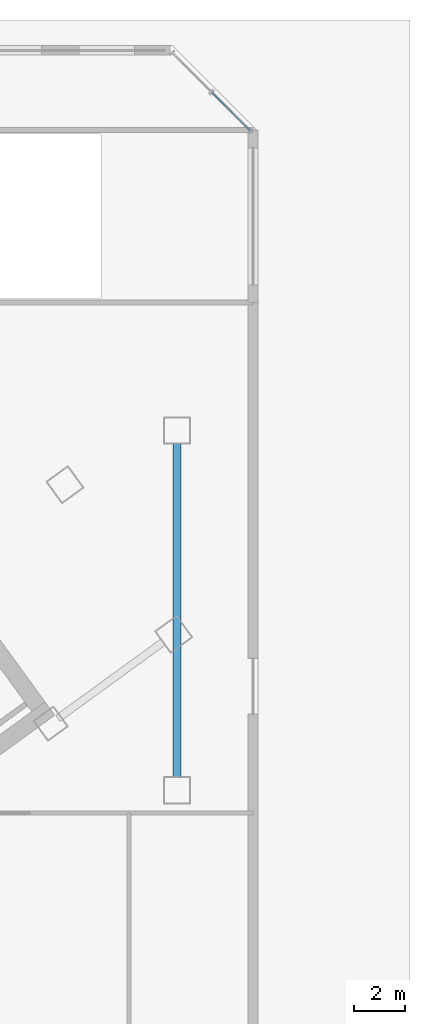
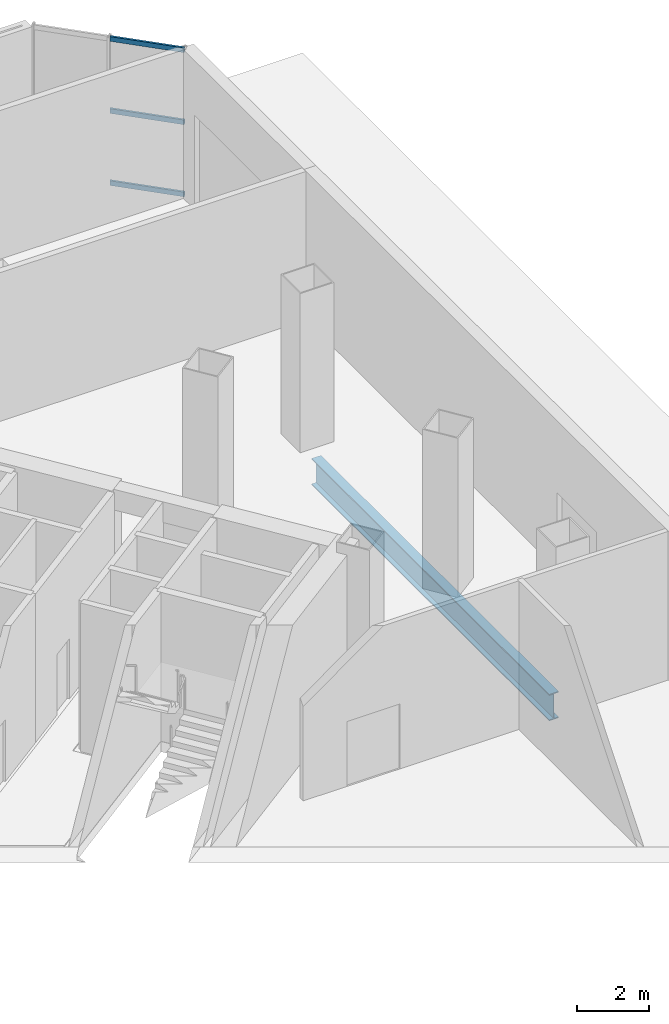
# One storey, part 7 of 22: 3 members, 1 beam, 1 element without a shape of its own.
"""IFC4 building model written with IfcOpenShell, lengths in metres."""

from ifc_helpers import new_model, si_unit, direction, frame, origin, origin_2d, place, context, subcontext, project, spatial, hollow_rectangle, i_section, extrude, source, transform, mapped, material, material_profile, profile_set, type_object, element, aggregate, save


model = new_model("IFC4")

# Units and contexts
model_context = context("Model", 3, precision=1e-05, world=origin(), true_north=direction((0.0, 1.0)))
body_context = subcontext(model_context, "Body", "Model", "MODEL_VIEW")
ifc_project = project(units=[si_unit("LENGTHUNIT", "METRE"), si_unit("AREAUNIT", "SQUARE_METRE"), si_unit("VOLUMEUNIT", "CUBIC_METRE"), si_unit("PLANEANGLEUNIT", "RADIAN"), si_unit("MASSUNIT", "GRAM", prefix="KILO")], contexts=[model_context])

# Site, building, storey
site_placement = place(None, origin())
site = spatial("IfcSite", under=ifc_project, at=site_placement, CompositionType="ELEMENT")
building_placement = place(site_placement, origin())
building = spatial("IfcBuilding", under=site, at=building_placement, Name="Tlacorven Tower", CompositionType="ELEMENT")
storey_placement = place(building_placement, origin())
storey = spatial("IfcBuildingStorey", under=building, at=storey_placement, Name="L00", CompositionType="ELEMENT", Elevation=0.0)

# Beam
ifc_material_1 = material(Name="Steel S460M", Category="steel")
ifc_material_profile_1 = material_profile(ifc_material_1, i_section(OverallWidth=0.300048828125, OverallDepth=0.89990234375, WebThickness=0.0185546875, FlangeThickness=0.034912109375, at=origin_2d()), Name="HEB 900")
ifc_profile_set_1 = profile_set([ifc_material_profile_1], Name="Steel S460M")
beam_type = type_object("IfcBeamType", Name="BM-POD-900", PredefinedType="BEAM", material=ifc_profile_set_1)
shared_shape_1 = source(origin(), body_context, "Body", "SweptSolid", [
    extrude(i_section(OverallWidth=0.300048828125, OverallDepth=0.89990234375, WebThickness=0.0185546875, FlangeThickness=0.034912109375, at=origin_2d()), origin(), (0.0, 0.0, 1.0), 13.199951171875),
])
beam_placement = place(storey_placement, frame((67.39990234375, 17.699951171875, -0.800048828125), z_axis=(0.0, 1.0, 0.0), x_axis=(-1.0, 0.0, 0.0)))
element("IfcBeam", 1, at=beam_placement, inside=storey, type_object=beam_type, Name="L00 beam BM-L00-GY6-1", PredefinedType="BEAM", context=body_context, shape_type="MappedRepresentation", body=[
    mapped(shared_shape_1, transform((0.0, 0.0, 0.0), scale=1.0)),
])

# Curtain wall, members
ifc_material_2 = material(Name="Dark solar low-E double glazing in aluminium frame", Category="aluminium")
curtain_wall_type = type_object("IfcCurtainWallType", Name="CW-STN-CONCOURSE", PredefinedType="USERDEFINED", material=ifc_material_2)
curtain_wall_placement = place(storey_placement, origin())
curtain_wall = element("IfcCurtainWall", 2, at=curtain_wall_placement, inside=storey, type_object=curtain_wall_type, Name="L00 Podium Chamfer Curtain Wall 5", ObjectType="UNITISED CURTAIN WALL", PredefinedType="USERDEFINED")
ifc_material_3 = material(Name="Aluminium 6063-T6 anodised", Category="aluminium")
ifc_material_profile_2 = material_profile(ifc_material_3, hollow_rectangle(XDim=0.06494140625, YDim=0.159912109375, WallThickness=0.00390625, at=origin_2d()), Name="ALU TRANSOM 65X160")
ifc_profile_set_2 = profile_set([ifc_material_profile_2], Name="Aluminium 6063-T6 anodised")
member_type = type_object("IfcMemberType", Name="CWT-01", PredefinedType="USERDEFINED", material=ifc_profile_set_2)
shared_shape_2 = source(origin(), body_context, "Body", "SweptSolid", [
    extrude(hollow_rectangle(XDim=0.06494140625, YDim=0.159912109375, WallThickness=0.00390625, at=origin_2d()), origin(), (0.0, 0.0, 1.0), 2.140380859375),
])
member_1_placement = place(storey_placement, frame((68.77490234375, 44.742431640625, 0.080078125), z_axis=(0.707049749547, -0.707163808226, 0.0), x_axis=(0.707163808226, 0.707049749547, 0.0)))
member_1 = element("IfcMember", 3, at=member_1_placement, type_object=member_type, Name="CW-L00-003 Transom 4", ObjectType="TRANSOM", PredefinedType="USERDEFINED", context=body_context, shape_type="MappedRepresentation", body=[
    mapped(shared_shape_2, transform((0.0, 0.0, 0.0), scale=1.0)),
])
member_2_placement = place(storey_placement, frame((68.77490234375, 44.742431640625, 2.52490234375), z_axis=(0.707049749547, -0.707163808226, 0.0), x_axis=(0.707163808226, 0.707049749547, 0.0)))
member_2 = element("IfcMember", 4, at=member_2_placement, type_object=member_type, Name="CW-L00-003 Transom 5", ObjectType="TRANSOM", PredefinedType="USERDEFINED", context=body_context, shape_type="MappedRepresentation", body=[
    mapped(shared_shape_2, transform((0.0, 0.0, 0.0), scale=1.0)),
])
member_3_placement = place(storey_placement, frame((68.77490234375, 44.742431640625, 4.969970703125), z_axis=(0.707049749547, -0.707163808226, 0.0), x_axis=(0.707163808226, 0.707049749547, 0.0)))
member_3 = element("IfcMember", 5, at=member_3_placement, type_object=member_type, Name="CW-L00-003 Transom 6", ObjectType="TRANSOM", PredefinedType="USERDEFINED", context=body_context, shape_type="MappedRepresentation", body=[
    mapped(shared_shape_2, transform((0.0, 0.0, 0.0), scale=1.0)),
])
aggregate(curtain_wall, [member_1, member_2, member_3])

save(model, "model.ifc")
